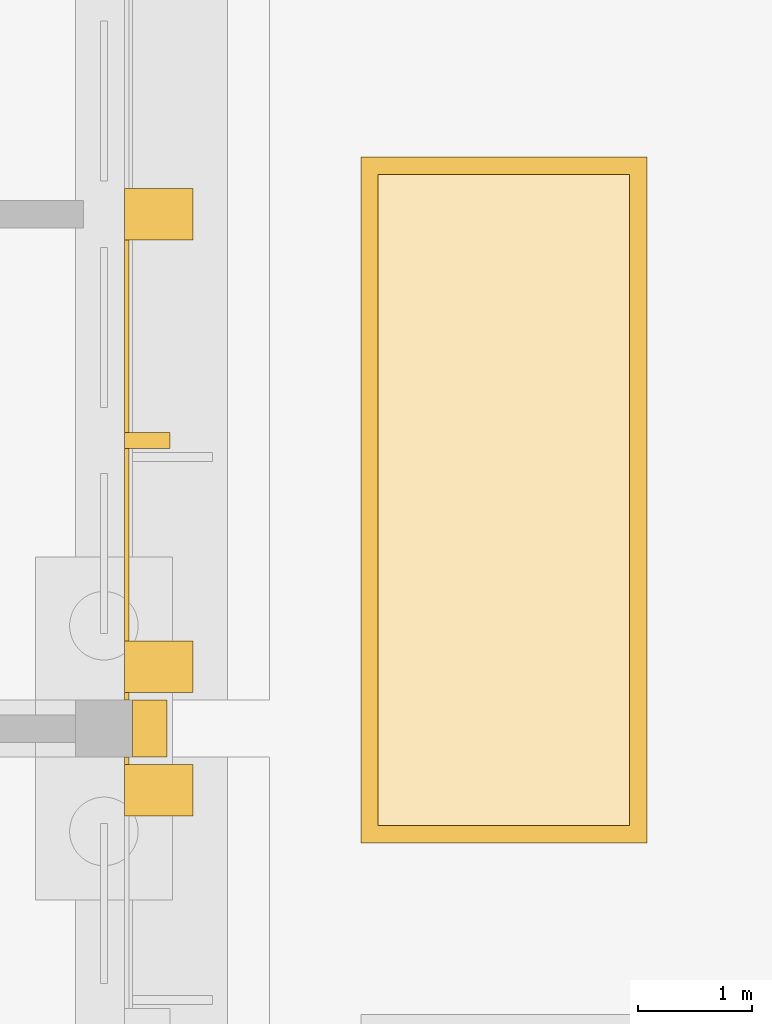
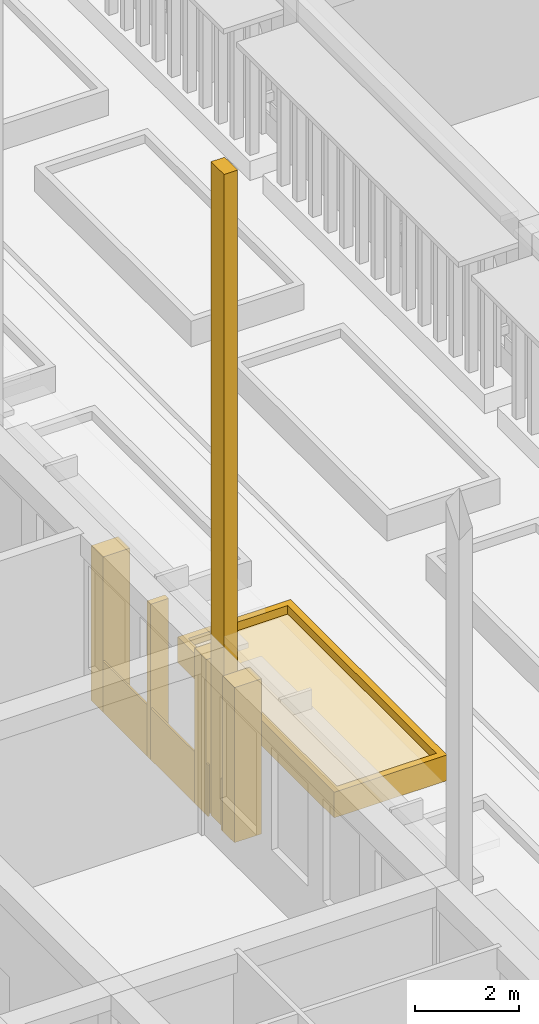
# One storey, part 105 of 161: 11 coverings.
"""IFC4 building model written with IfcOpenShell, lengths in metres."""

from ifc_helpers import new_model, si_unit, direction, frame, origin, origin_2d, place, context, subcontext, project, spatial, polyline, rectangle, outline, extrude, material, layer, layer_set, type_object, element, save


model = new_model("IFC4")

# Units and contexts
model_context = context("Model", 3, precision=1e-05, world=origin(), true_north=direction((0.0, 1.0)))
body_context = subcontext(model_context, "Body", "Model", "MODEL_VIEW")
ifc_project = project(units=[si_unit("LENGTHUNIT", "METRE"), si_unit("AREAUNIT", "SQUARE_METRE"), si_unit("VOLUMEUNIT", "CUBIC_METRE"), si_unit("PLANEANGLEUNIT", "RADIAN"), si_unit("MASSUNIT", "GRAM", prefix="KILO")], contexts=[model_context])

# Site, building, storey
site_placement = place(None, origin())
site = spatial("IfcSite", under=ifc_project, at=site_placement, CompositionType="ELEMENT")
building_placement = place(site_placement, origin())
building = spatial("IfcBuilding", under=site, at=building_placement, Name="Elbe Cascade School", CompositionType="ELEMENT")
storey_placement = place(building_placement, origin())
storey = spatial("IfcBuildingStorey", under=building, at=storey_placement, Name="L00", CompositionType="ELEMENT", Elevation=0.0)

# Coverings
ifc_material_1 = material(Name="Precast concrete C40/50", Category="concrete")
covering_type_1 = type_object("IfcCoveringType", Name="Bars envelope Precast concrete fin, 140 wide, 400 deep", PredefinedType="CLADDING", material=ifc_material_1)
covering_1_placement = place(storey_placement, frame((116.080078125, 26.52001953125, 0.0), z_axis=(0.0, 0.0, 1.0), x_axis=(0.0, 1.0, 0.0)))
element("IfcCovering", 1, at=covering_1_placement, inside=storey, type_object=covering_type_1, Name="Fin CV56 B.L00.e3.4", PredefinedType="CLADDING", context=body_context, shape_type="SweptSolid", body=[
    extrude(rectangle(XDim=0.139892578125, YDim=0.39990234375, at=origin_2d()), origin(), (0.0, 0.0, 1.0), 3.6298828125),
])
ifc_material_2 = material(Name="Precast concrete C40/50", Category="concrete")
covering_type_2 = type_object("IfcCoveringType", Name="Bars envelope Precast concrete fin, 450 wide, 600 deep", PredefinedType="CLADDING", material=ifc_material_2)
for number, where, z_axis, x_axis, name in (
    (2, (116.179931640625, 23.4599609375, 0.0), (0.0, 0.0, 1.0), (0.0, 1.0, 0.0), "Fin CV55 B.L00.e2.3"),
    (3, (116.179931640625, 24.5400390625, 0.0), (0.0, 0.0, 1.0), (0.0, 1.0, 0.0), "Fin CV55 B.L00.e3.1"),
    (4, (116.179931640625, 28.5, 0.0), (0.0, 0.0, 1.0), (0.0, 1.0, 0.0), "Fin CV55 B.L00.e3.2"),
):
    element("IfcCovering", number, at=place(storey_placement, frame(where, z_axis=z_axis, x_axis=x_axis)), inside=storey, type_object=covering_type_2, Name=name, PredefinedType="CLADDING", context=body_context, shape_type="SweptSolid", body=[
        extrude(rectangle(XDim=0.449951171875, YDim=0.60009765625, at=origin_2d()), origin(), (0.0, 0.0, 1.0), 3.6298828125),
    ])
ifc_material_3 = material(Name="Sandstone - red", Category="masonry")
ifc_layer_1 = layer(ifc_material_3, 0.0400390625)
ifc_layer_set_1 = layer_set([ifc_layer_1], Name="Sandstone - red")
covering_type_3 = type_object("IfcCoveringType", Name="Bars envelope Sandstone cladding, red, 40 mm", PredefinedType="CLADDING", material=ifc_layer_set_1)
for number, where, z_axis, x_axis, name in (
    (5, (115.89990234375, 23.717529296875, 0.0), (0.0, 0.0, 1.0), (0.0, 1.0, 0.0), "Sandstone cladding CV48 B.L00.e.2.6"),
    (6, (115.89990234375, 24.282470703125, 0.0), (0.0, 0.0, 1.0), (0.0, 1.0, 0.0), "Sandstone cladding CV48 B.L00.e.3.1"),
):
    element("IfcCovering", number, at=place(storey_placement, frame(where, z_axis=z_axis, x_axis=x_axis)), inside=storey, type_object=covering_type_3, Name=name, PredefinedType="CLADDING", context=body_context, shape_type="SweptSolid", body=[
        extrude(rectangle(XDim=0.06494140625, YDim=0.0400390625, at=origin_2d()), origin(), (0.0, 0.0, 1.0), 1.199951171875),
    ])
for number, where, z_axis, x_axis, name in (
    (7, (115.89990234375, 25.607421875, 0.0), (0.0, 0.0, 1.0), (0.0, 1.0, 0.0), "Sandstone cladding CV48 B.L00.e.3.2"),
    (8, (115.89990234375, 27.4326171875, 0.0), (0.0, 0.0, 1.0), (0.0, 1.0, 0.0), "Sandstone cladding CV48 B.L00.e.3.3"),
):
    element("IfcCovering", number, at=place(storey_placement, frame(where, z_axis=z_axis, x_axis=x_axis)), inside=storey, type_object=covering_type_3, Name=name, PredefinedType="CLADDING", context=body_context, shape_type="SweptSolid", body=[
        extrude(rectangle(XDim=1.68505859375, YDim=0.0400390625, at=origin_2d()), origin(), (0.0, 0.0, 1.0), 1.199951171875),
    ])
ifc_material_4 = material(Name="Sandstone - red", Category="masonry")
covering_type_4 = type_object("IfcCoveringType", Name="Bars envelope Sandstone pilaster, 300 deep", PredefinedType="CLADDING", material=ifc_material_4)
covering_2_placement = place(storey_placement, frame((116.10009765625, 24.0, 0.0), z_axis=(0.0, 0.0, 1.0), x_axis=(0.0, 1.0, 0.0)))
element("IfcCovering", 9, at=covering_2_placement, inside=storey, type_object=covering_type_4, Name="Pilaster CV60 B.e2", PredefinedType="CLADDING", context=body_context, shape_type="SweptSolid", body=[
    extrude(rectangle(XDim=0.5, YDim=0.300048828125, at=origin_2d()), origin(), (0.0, 0.0, 1.0), 15.300048828125),
])
ifc_material_5 = material(Name="Planting - soil and shrubs", Category="soil")
ifc_layer_2 = layer(ifc_material_5, 0.39990234375)
ifc_layer_set_2 = layer_set([ifc_layer_2], Name="Planting - soil and shrubs")
covering_type_5 = type_object("IfcCoveringType", Name="Site planting bed 400", PredefinedType="USERDEFINED", material=ifc_layer_set_2)
covering_3_placement = place(storey_placement, origin())
element("IfcCovering", 10, at=covering_3_placement, inside=storey, type_object=covering_type_5, Name="Court B-C planting bed west 3", ObjectType="PLANTING BED", PredefinedType="USERDEFINED", context=body_context, shape_type="SweptSolid", body=[
    extrude(outline(polyline([(118.10009765625, 23.14990234375), (120.300048828125, 23.14990234375), (120.300048828125, 28.85009765625), (118.10009765625, 28.85009765625), (118.10009765625, 23.14990234375)])), origin(), (0.0, 0.0, 1.0), 0.39990234375),
])
ifc_material_6 = material(Name="Concrete C30/37 precast kerb", Category="concrete")
ifc_layer_3 = layer(ifc_material_6, 0.14990234375)
ifc_layer_set_3 = layer_set([ifc_layer_3], Name="Concrete C30/37 precast kerb")
covering_type_6 = type_object("IfcCoveringType", Name="Site planting bed kerb 150x600", PredefinedType="CLADDING", material=ifc_layer_set_3)
covering_4_placement = place(storey_placement, origin())
element("IfcCovering", 11, at=covering_4_placement, inside=storey, type_object=covering_type_6, Name="Court B-C planting bed kerb west 3", PredefinedType="CLADDING", context=body_context, shape_type="SweptSolid", body=[
    extrude(outline(polyline([(117.949951171875, 23.0), (120.449951171875, 23.0), (120.449951171875, 29.0), (117.949951171875, 29.0), (117.949951171875, 23.0)]), holes=[polyline([(118.10009765625, 23.14990234375), (120.300048828125, 23.14990234375), (120.300048828125, 28.85009765625), (118.10009765625, 28.85009765625), (118.10009765625, 23.14990234375)])]), origin(), (0.0, 0.0, 1.0), 0.60009765625),
])

save(model, "model.ifc")
